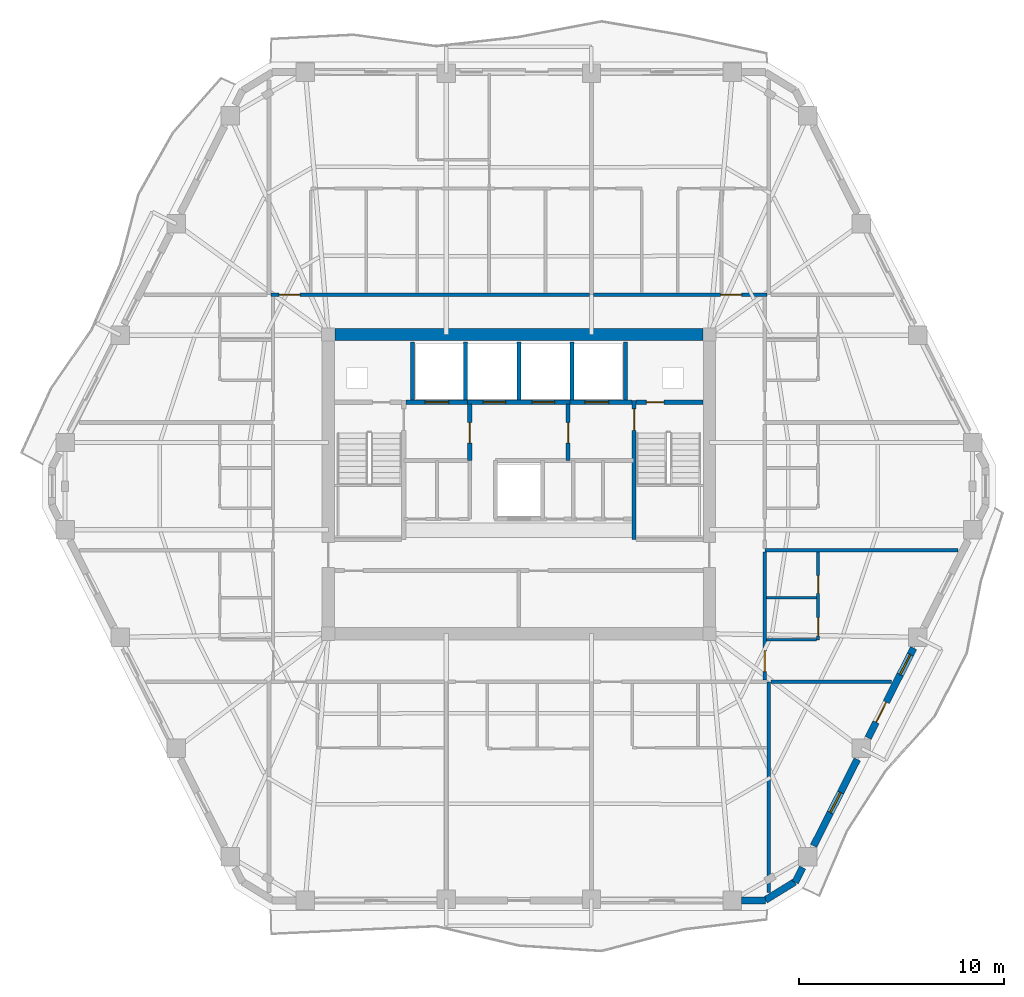
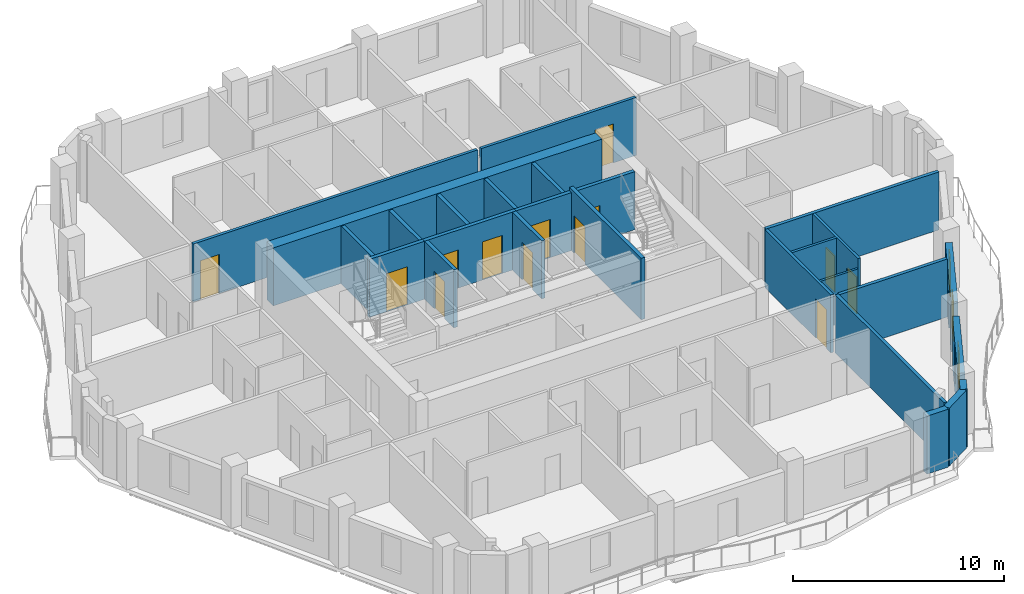
# One storey, part 6 of 10: 27 walls, 14 doors, 2 windows, 16 openings.
"""IFC4 building model written with IfcOpenShell, lengths in metres."""

from ifc_helpers import new_model, si_unit, direction, frame, frame_2d, origin, place, context, subcontext, project, spatial, rectangle, extrude, material, layer, layer_set, type_object, element, fill, save


model = new_model("IFC4")

# Units and contexts
model_context = context("Model", 3, precision=1e-05, world=origin(), true_north=direction((0.0, 1.0)))
body_context = subcontext(model_context, "Body", "Model", "MODEL_VIEW")
ifc_project = project(units=[si_unit("LENGTHUNIT", "METRE"), si_unit("AREAUNIT", "SQUARE_METRE"), si_unit("VOLUMEUNIT", "CUBIC_METRE"), si_unit("PLANEANGLEUNIT", "RADIAN"), si_unit("MASSUNIT", "GRAM", prefix="KILO")], contexts=[model_context])

# Site, building, storey
site_placement = place(None, origin())
site = spatial("IfcSite", under=ifc_project, at=site_placement, CompositionType="ELEMENT")
building_placement = place(site_placement, origin())
building = spatial("IfcBuilding", under=site, at=building_placement, Name="Cinnabar Lancet Tower", CompositionType="ELEMENT")
storey_placement = place(building_placement, frame((0.0, 0.0, 203.85009765625)))
storey = spatial("IfcBuildingStorey", under=building, at=storey_placement, Name="L54", CompositionType="ELEMENT", Elevation=203.85009765625)

# Wall, opening, door
ifc_material_1 = material(Name="Acoustic twin-stud gypsum partition", Category="gypsum")
ifc_layer_1 = layer(ifc_material_1, 0.159912109375)
ifc_layer_set_1 = layer_set([ifc_layer_1], Name="Acoustic twin-stud gypsum partition")
wall_type_1 = type_object("IfcWallType", Name="ARC-WL-CORR-160", PredefinedType="PARTITIONING", material=ifc_layer_set_1)
wall_1_placement = place(storey_placement, frame((20.294921875, 35.14990234375, 0.0), z_axis=(0.0, 0.0, 1.0), x_axis=(1.0, 0.0, 0.0)))
wall_1 = element("IfcWall", 1, at=wall_1_placement, inside=storey, type_object=wall_type_1, Name="L54 Unit N01 Corridor Wall", PredefinedType="PARTITIONING", context=body_context, shape_type="SweptSolid", body=[
    extrude(rectangle(XDim=15.552978515625, YDim=0.159912109375, at=frame_2d((7.7763671875, 0.0))), origin(), (0.0, 0.0, 1.0), 3.349853515625),
])
opening_1_placement = place(wall_1_placement, frame((0.405029296875, 0.0, 0.0)))
opening_1 = element("IfcOpeningElement", 2, at=opening_1_placement, cuts=wall_1, Name="Opening UD-01", PredefinedType="OPENING", context=body_context, shape_type="SweptSolid", body=[
    extrude(rectangle(XDim=1.02001953125, YDim=2.25, at=frame_2d((0.510009765625, 1.125))), frame((0.0, 0.08984375, 0.0), z_axis=(0.0, -1.0, 0.0), x_axis=(1.0, 0.0, 0.0)), (0.0, 0.0, 1.0), 0.179931640625),
])
ifc_material_2 = material(Name="Solid timber fire-rated apartment entrance door", Category="wood")
door_type_1 = type_object("IfcDoorType", Name="ARC-DR-UNIT", OperationType="NOTDEFINED", PredefinedType="DOOR", material=ifc_material_2)
door_1_placement = place(opening_1_placement, origin())
door_1 = element("IfcDoor", 3, at=door_1_placement, inside=storey, type_object=door_type_1, Name="DR-L54-N01-ENT", OperationType="SINGLE_SWING_RIGHT", OverallHeight=2.25, OverallWidth=1.02001953125, PredefinedType="DOOR", context=body_context, shape_type="SweptSolid", body=[
    extrude(rectangle(XDim=1.02001953125, YDim=2.25, at=frame_2d((0.510009765625, 1.125))), frame((0.0, 0.02490234375, 0.0), z_axis=(0.0, -1.0, 0.0), x_axis=(1.0, 0.0, 0.0)), (0.0, 0.0, 1.0), 0.050048828125),
])
fill(opening_1, door_1)

wall_2_placement = place(storey_placement, frame((36.0380859375, 35.14990234375, 0.0), z_axis=(0.0, 0.0, 1.0), x_axis=(1.0, 0.0, 0.0)))
wall_2 = element("IfcWall", 4, at=wall_2_placement, inside=storey, type_object=wall_type_1, Name="L54 Unit N02 Corridor Wall", PredefinedType="PARTITIONING", context=body_context, shape_type="SweptSolid", body=[
    extrude(rectangle(XDim=8.466796875, YDim=0.159912109375, at=frame_2d((4.2333984375, 0.0))), origin(), (0.0, 0.0, 1.0), 3.349853515625),
])
opening_2_placement = place(wall_2_placement, frame((6.2119140625, 0.0, 0.0)))
opening_2 = element("IfcOpeningElement", 5, at=opening_2_placement, cuts=wall_2, Name="Opening UD-01", PredefinedType="OPENING", context=body_context, shape_type="SweptSolid", body=[
    extrude(rectangle(XDim=1.02001953125, YDim=2.25, at=frame_2d((0.510009765625, 1.125))), frame((0.0, 0.08984375, 0.0), z_axis=(0.0, -1.0, 0.0), x_axis=(1.0, 0.0, 0.0)), (0.0, 0.0, 1.0), 0.179931640625),
])
door_2_placement = place(opening_2_placement, origin())
door_2 = element("IfcDoor", 6, at=door_2_placement, inside=storey, type_object=door_type_1, Name="DR-L54-N02-ENT", OperationType="SINGLE_SWING_LEFT", OverallHeight=2.25, OverallWidth=1.02001953125, PredefinedType="DOOR", context=body_context, shape_type="SweptSolid", body=[
    extrude(rectangle(XDim=1.02001953125, YDim=2.25, at=frame_2d((0.510009765625, 1.125))), frame((0.0, 0.02490234375, 0.0), z_axis=(0.0, -1.0, 0.0), x_axis=(1.0, 0.0, 0.0)), (0.0, 0.0, 1.0), 0.050048828125),
])
fill(opening_2, door_2)

wall_3_placement = place(storey_placement, frame((44.39990234375, 16.344970703125, 0.0), z_axis=(0.0, 0.0, 1.0), x_axis=(0.0, 1.0, 0.0)))
wall_3 = element("IfcWall", 7, at=wall_3_placement, inside=storey, type_object=wall_type_1, Name="UW-L54-E01-COR", PredefinedType="PARTITIONING", context=body_context, shape_type="SweptSolid", body=[
    extrude(rectangle(XDim=6.236083984375, YDim=0.159912109375, at=frame_2d((3.1181640625, 0.0))), origin(), (0.0, 0.0, 1.0), 3.349853515625),
])
opening_3_placement = place(wall_3_placement, frame((0.39990234375, 0.0, 0.0)))
opening_3 = element("IfcOpeningElement", 8, at=opening_3_placement, cuts=wall_3, Name="Opening UD-01", PredefinedType="OPENING", context=body_context, shape_type="SweptSolid", body=[
    extrude(rectangle(XDim=1.02001953125, YDim=2.25, at=frame_2d((0.510009765625, 1.125))), frame((0.0, 0.08984375, 0.0), z_axis=(0.0, -1.0, 0.0), x_axis=(1.0, 0.0, 0.0)), (0.0, 0.0, 1.0), 0.179931640625),
])
door_3_placement = place(opening_3_placement, origin())
door_3 = element("IfcDoor", 9, at=door_3_placement, inside=storey, type_object=door_type_1, Name="DR-L54-E01-ENT", OperationType="SINGLE_SWING_RIGHT", OverallHeight=2.25, OverallWidth=1.02001953125, PredefinedType="DOOR", context=body_context, shape_type="SweptSolid", body=[
    extrude(rectangle(XDim=1.02001953125, YDim=2.25, at=frame_2d((0.510009765625, 1.125))), frame((0.0, 0.02490234375, 0.0), z_axis=(0.0, -1.0, 0.0), x_axis=(1.0, 0.0, 0.0)), (0.0, 0.0, 1.0), 0.050048828125),
])
fill(opening_3, door_3)

# Walls
ifc_material_3 = material(Name="Fire-rated twin-frame acoustic drywall", Category="gypsum")
ifc_layer_2 = layer(ifc_material_3, 0.179931640625)
ifc_layer_set_2 = layer_set([ifc_layer_2], Name="Fire-rated twin-frame acoustic drywall")
wall_type_2 = type_object("IfcWallType", Name="ARC-WL-PARTY-180", PredefinedType="PARTITIONING", material=ifc_layer_set_2)
wall_4_placement = place(storey_placement, frame((44.60009765625, 5.968017578125, 0.0), z_axis=(0.0, 0.0, 1.0), x_axis=(0.0, 1.0, 0.0)))
element("IfcWall", 10, at=wall_4_placement, inside=storey, type_object=wall_type_2, Name="PW-L54-SPTY-446", PredefinedType="PARTITIONING", context=body_context, shape_type="SweptSolid", body=[
    extrude(rectangle(XDim=10.281982421875, YDim=0.179931640625, at=frame_2d((5.14111328125, 0.0))), origin(), (0.0, 0.0, 1.0), 3.349853515625),
])
wall_5_placement = place(storey_placement, frame((44.695068359375, 16.25, 0.0), z_axis=(0.0, 0.0, 1.0), x_axis=(1.0, 0.0, 0.0)))
element("IfcWall", 11, at=wall_5_placement, inside=storey, type_object=wall_type_2, Name="PW-L54-ESB", PredefinedType="PARTITIONING", context=body_context, shape_type="SweptSolid", body=[
    extrude(rectangle(XDim=5.89404296875, YDim=0.179931640625, at=frame_2d((2.947021484375, 0.0))), origin(), (0.0, 0.0, 1.0), 3.349853515625),
])
wall_6_placement = place(storey_placement, frame((44.39990234375, 22.676025390625, 0.0), z_axis=(0.0, 0.0, 1.0), x_axis=(1.0, 0.0, 0.0)))
element("IfcWall", 12, at=wall_6_placement, inside=storey, type_object=wall_type_2, Name="PW-L54-EPTY-1", PredefinedType="PARTITIONING", context=body_context, shape_type="SweptSolid", body=[
    extrude(rectangle(XDim=9.440185546875, YDim=0.179931640625, at=frame_2d((4.72021484375, 0.0))), origin(), (0.0, 0.0, 1.0), 3.349853515625),
])

# Wall, opening, door
ifc_material_4 = material(Name="Autoclaved aerated concrete blockwork", Category="masonry")
ifc_layer_3 = layer(ifc_material_4, 0.199951171875)
ifc_layer_set_3 = layer_set([ifc_layer_3], Name="Autoclaved aerated concrete blockwork")
wall_type_3 = type_object("IfcWallType", Name="ARC-WL-SHAFT-200", PredefinedType="PLUMBINGWALL", material=ifc_layer_set_3)
wall_7_placement = place(storey_placement, frame((26.885009765625, 29.89990234375, 0.0), z_axis=(0.0, 0.0, 1.0), x_axis=(1.0, 0.0, 0.0)))
wall_7 = element("IfcWall", 13, at=wall_7_placement, inside=storey, type_object=wall_type_3, Name="CW-FL1-L54", PredefinedType="PLUMBINGWALL", context=body_context, shape_type="SweptSolid", body=[
    extrude(rectangle(XDim=3.014892578125, YDim=0.199951171875, at=frame_2d((1.50732421875, 0.0))), origin(), (0.0, 0.0, 1.0), 3.349853515625),
])
opening_4_placement = place(wall_7_placement, frame((0.93994140625, 0.0, 0.0)))
opening_4 = element("IfcOpeningElement", 14, at=opening_4_placement, cuts=wall_7, Name="Opening LD-02", PredefinedType="OPENING", context=body_context, shape_type="SweptSolid", body=[
    extrude(rectangle(XDim=1.14990234375, YDim=2.199951171875, at=frame_2d((0.574951171875, 1.10009765625))), frame((0.0, 0.10986328125, 0.0), z_axis=(0.0, -1.0, 0.0), x_axis=(1.0, 0.0, 0.0)), (0.0, 0.0, 1.0), 0.219970703125),
])
ifc_material_5 = material(Name="Fire-rated stainless steel firefighting lift landing door", Category="steel")
door_type_2 = type_object("IfcDoorType", Name="ARC-DR-LD-FIRE", OperationType="NOTDEFINED", PredefinedType="DOOR", material=ifc_material_5)
door_4_placement = place(opening_4_placement, origin())
door_4 = element("IfcDoor", 15, at=door_4_placement, inside=storey, type_object=door_type_2, Name="L54 Firefighting Lift FL-1 Landing Door", OperationType="DOUBLE_DOOR_SLIDING", OverallHeight=2.199951171875, OverallWidth=1.14990234375, PredefinedType="DOOR", context=body_context, shape_type="SweptSolid", body=[
    extrude(rectangle(XDim=1.14990234375, YDim=2.199951171875, at=frame_2d((0.574951171875, 1.10009765625))), frame((0.0, 0.02490234375, 0.0), z_axis=(0.0, -1.0, 0.0), x_axis=(1.0, 0.0, 0.0)), (0.0, 0.0, 1.0), 0.050048828125),
])
fill(opening_4, door_4)

# Wall, openings, doors
wall_8_placement = place(storey_placement, frame((29.89990234375, 29.89990234375, 0.0), z_axis=(0.0, 0.0, 1.0), x_axis=(1.0, 0.0, 0.0)))
wall_8 = element("IfcWall", 16, at=wall_8_placement, inside=storey, type_object=wall_type_3, Name="CW-PL78-L54", PredefinedType="PLUMBINGWALL", context=body_context, shape_type="SweptSolid", body=[
    extrude(rectangle(XDim=5.0, YDim=0.199951171875, at=frame_2d((2.5, 0.0))), origin(), (0.0, 0.0, 1.0), 3.349853515625),
])
opening_5_placement = place(wall_8_placement, frame((0.75, 0.0, 0.0)))
opening_5 = element("IfcOpeningElement", 17, at=opening_5_placement, cuts=wall_8, Name="Opening LD-01", PredefinedType="OPENING", context=body_context, shape_type="SweptSolid", body=[
    extrude(rectangle(XDim=1.10009765625, YDim=2.199951171875, at=frame_2d((0.550048828125, 1.10009765625))), frame((0.0, 0.10986328125, 0.0), z_axis=(0.0, -1.0, 0.0), x_axis=(1.0, 0.0, 0.0)), (0.0, 0.0, 1.0), 0.219970703125),
])
opening_6_placement = place(wall_8_placement, frame((3.14990234375, 0.0, 0.0)))
opening_6 = element("IfcOpeningElement", 18, at=opening_6_placement, cuts=wall_8, Name="Opening LD-01", PredefinedType="OPENING", context=body_context, shape_type="SweptSolid", body=[
    extrude(rectangle(XDim=1.10009765625, YDim=2.199951171875, at=frame_2d((0.550048828125, 1.10009765625))), frame((0.0, 0.10986328125, 0.0), z_axis=(0.0, -1.0, 0.0), x_axis=(1.0, 0.0, 0.0)), (0.0, 0.0, 1.0), 0.219970703125),
])
ifc_material_6 = material(Name="Brushed stainless steel sliding lift door", Category="steel")
door_type_3 = type_object("IfcDoorType", Name="ARC-DR-LD-PASS", OperationType="NOTDEFINED", PredefinedType="DOOR", material=ifc_material_6)
door_5_placement = place(opening_5_placement, origin())
door_5 = element("IfcDoor", 19, at=door_5_placement, inside=storey, type_object=door_type_3, Name="L54 Lift PL-7 Landing Door", OperationType="DOUBLE_DOOR_SLIDING", OverallHeight=2.199951171875, OverallWidth=1.10009765625, PredefinedType="DOOR", context=body_context, shape_type="SweptSolid", body=[
    extrude(rectangle(XDim=1.10009765625, YDim=2.199951171875, at=frame_2d((0.550048828125, 1.10009765625))), frame((0.0, 0.02490234375, 0.0), z_axis=(0.0, -1.0, 0.0), x_axis=(1.0, 0.0, 0.0)), (0.0, 0.0, 1.0), 0.050048828125),
])
fill(opening_5, door_5)
door_6_placement = place(opening_6_placement, origin())
door_6 = element("IfcDoor", 20, at=door_6_placement, inside=storey, type_object=door_type_3, Name="L54 Lift PL-8 Landing Door", OperationType="DOUBLE_DOOR_SLIDING", OverallHeight=2.199951171875, OverallWidth=1.10009765625, PredefinedType="DOOR", context=body_context, shape_type="SweptSolid", body=[
    extrude(rectangle(XDim=1.10009765625, YDim=2.199951171875, at=frame_2d((0.550048828125, 1.10009765625))), frame((0.0, 0.02490234375, 0.0), z_axis=(0.0, -1.0, 0.0), x_axis=(1.0, 0.0, 0.0)), (0.0, 0.0, 1.0), 0.050048828125),
])
fill(opening_6, door_6)

# Wall, opening, door
wall_9_placement = place(storey_placement, frame((34.89990234375, 29.89990234375, 0.0), z_axis=(0.0, 0.0, 1.0), x_axis=(1.0, 0.0, 0.0)))
wall_9 = element("IfcWall", 21, at=wall_9_placement, inside=storey, type_object=wall_type_3, Name="CW-FL2-L54", PredefinedType="PLUMBINGWALL", context=body_context, shape_type="SweptSolid", body=[
    extrude(rectangle(XDim=3.01513671875, YDim=0.199951171875, at=frame_2d((1.507568359375, 0.0))), origin(), (0.0, 0.0, 1.0), 3.349853515625),
])
opening_7_placement = place(wall_9_placement, frame((0.72509765625, 0.0, 0.0)))
opening_7 = element("IfcOpeningElement", 22, at=opening_7_placement, cuts=wall_9, Name="Opening LD-02", PredefinedType="OPENING", context=body_context, shape_type="SweptSolid", body=[
    extrude(rectangle(XDim=1.14990234375, YDim=2.199951171875, at=frame_2d((0.574951171875, 1.10009765625))), frame((0.0, 0.10986328125, 0.0), z_axis=(0.0, -1.0, 0.0), x_axis=(1.0, 0.0, 0.0)), (0.0, 0.0, 1.0), 0.219970703125),
])
door_7_placement = place(opening_7_placement, origin())
door_7 = element("IfcDoor", 23, at=door_7_placement, inside=storey, type_object=door_type_2, Name="L54 Firefighting Lift FL-2 Landing Door", OperationType="DOUBLE_DOOR_SLIDING", OverallHeight=2.199951171875, OverallWidth=1.14990234375, PredefinedType="DOOR", context=body_context, shape_type="SweptSolid", body=[
    extrude(rectangle(XDim=1.14990234375, YDim=2.199951171875, at=frame_2d((0.574951171875, 1.10009765625))), frame((0.0, 0.02490234375, 0.0), z_axis=(0.0, -1.0, 0.0), x_axis=(1.0, 0.0, 0.0)), (0.0, 0.0, 1.0), 0.050048828125),
])
fill(opening_7, door_7)

wall_10_placement = place(storey_placement, frame((38.125, 29.89990234375, 0.0), z_axis=(0.0, 0.0, 1.0), x_axis=(1.0, 0.0, 0.0)))
wall_10 = element("IfcWall", 24, at=wall_10_placement, inside=storey, type_object=wall_type_3, Name="CW-NSH-E-L54", PredefinedType="PLUMBINGWALL", context=body_context, shape_type="SweptSolid", body=[
    extrude(rectangle(XDim=3.27001953125, YDim=0.199951171875, at=frame_2d((1.635009765625, 0.0))), origin(), (0.0, 0.0, 1.0), 3.349853515625),
])
opening_8_placement = place(wall_10_placement, frame((0.5, 0.0, 0.0)))
opening_8 = element("IfcOpeningElement", 25, at=opening_8_placement, cuts=wall_10, Name="Opening PD-02", PredefinedType="OPENING", context=body_context, shape_type="SweptSolid", body=[
    extrude(rectangle(XDim=0.85009765625, YDim=2.050048828125, at=frame_2d((0.425048828125, 1.02490234375))), frame((0.0, 0.10986328125, 0.0), z_axis=(0.0, -1.0, 0.0), x_axis=(1.0, 0.0, 0.0)), (0.0, 0.0, 1.0), 0.219970703125),
])
ifc_material_7 = material(Name="Fire-rated steel riser access door", Category="steel")
door_type_4 = type_object("IfcDoorType", Name="ARC-DR-RISER", OperationType="NOTDEFINED", PredefinedType="DOOR", material=ifc_material_7)
door_8_placement = place(opening_8_placement, origin())
door_8 = element("IfcDoor", 26, at=door_8_placement, inside=storey, type_object=door_type_4, Name="L54 East Riser Access Door", OperationType="SINGLE_SWING_RIGHT", OverallHeight=2.050048828125, OverallWidth=0.85009765625, PredefinedType="DOOR", context=body_context, shape_type="SweptSolid", body=[
    extrude(rectangle(XDim=0.85009765625, YDim=2.050048828125, at=frame_2d((0.425048828125, 1.02490234375))), frame((0.0, 0.02490234375, 0.0), z_axis=(0.0, -1.0, 0.0), x_axis=(1.0, 0.0, 0.0)), (0.0, 0.0, 1.0), 0.050048828125),
])
fill(opening_8, door_8)

# Walls
for number, where, z_axis, x_axis, name in (
    (27, (27.199951171875, 30.0, 0.0), (0.0, 0.0, 1.0), (0.0, 1.0, 0.0), "CW-NSH-D1-L54"),
    (28, (29.800048828125, 30.0, 0.0), (0.0, 0.0, 1.0), (0.0, 1.0, 0.0), "CW-NSH-D2-L54"),
    (29, (32.39990234375, 30.0, 0.0), (0.0, 0.0, 1.0), (0.0, 1.0, 0.0), "CW-NSH-D3-L54"),
    (30, (35.0, 30.0, 0.0), (0.0, 0.0, 1.0), (0.0, 1.0, 0.0), "CW-NSH-D4-L54"),
    (31, (37.60009765625, 30.0, 0.0), (0.0, 0.0, 1.0), (0.0, 1.0, 0.0), "CW-NSH-D5-L54"),
):
    element("IfcWall", number, at=place(storey_placement, frame(where, z_axis=z_axis, x_axis=x_axis)), inside=storey, type_object=wall_type_3, Name=name, PredefinedType="PLUMBINGWALL", context=body_context, shape_type="SweptSolid", body=[
        extrude(rectangle(XDim=2.85009765625, YDim=0.199951171875, at=frame_2d((1.425048828125, 0.0))), origin(), (0.0, 0.0, 1.0), 3.349853515625),
    ])

# Wall, opening, door
wall_11_placement = place(storey_placement, frame((30.0, 27.050048828125, 0.0), z_axis=(0.0, 0.0, 1.0), x_axis=(0.0, 1.0, 0.0)))
wall_11 = element("IfcWall", 32, at=wall_11_placement, inside=storey, type_object=wall_type_3, Name="CW-FF1E-L54", PredefinedType="PLUMBINGWALL", context=body_context, shape_type="SweptSolid", body=[
    extrude(rectangle(XDim=2.75, YDim=0.199951171875, at=frame_2d((1.375, 0.0))), origin(), (0.0, 0.0, 1.0), 3.349853515625),
])
opening_9_placement = place(wall_11_placement, frame((0.85009765625, 0.0, 0.0)))
opening_9 = element("IfcOpeningElement", 33, at=opening_9_placement, cuts=wall_11, Name="Opening FD-01", PredefinedType="OPENING", context=body_context, shape_type="SweptSolid", body=[
    extrude(rectangle(XDim=1.0, YDim=2.14990234375, at=frame_2d((0.5, 1.074951171875))), frame((0.0, 0.10986328125, 0.0), z_axis=(0.0, -1.0, 0.0), x_axis=(1.0, 0.0, 0.0)), (0.0, 0.0, 1.0), 0.219970703125),
])
ifc_material_8 = material(Name="Fire-rated timber-core lobby door", Category="wood")
door_type_5 = type_object("IfcDoorType", Name="ARC-DR-FFAL", OperationType="NOTDEFINED", PredefinedType="DOOR", material=ifc_material_8)
door_9_placement = place(opening_9_placement, origin())
door_9 = element("IfcDoor", 34, at=door_9_placement, inside=storey, type_object=door_type_5, Name="L54 FFAL-1 Lobby Fire Door", OperationType="SINGLE_SWING_RIGHT", OverallHeight=2.14990234375, OverallWidth=1.0, PredefinedType="DOOR", context=body_context, shape_type="SweptSolid", body=[
    extrude(rectangle(XDim=1.0, YDim=2.14990234375, at=frame_2d((0.5, 1.074951171875))), frame((0.0, 0.02490234375, 0.0), z_axis=(0.0, -1.0, 0.0), x_axis=(1.0, 0.0, 0.0)), (0.0, 0.0, 1.0), 0.050048828125),
])
fill(opening_9, door_9)

wall_12_placement = place(storey_placement, frame((34.800048828125, 27.050048828125, 0.0), z_axis=(0.0, 0.0, 1.0), x_axis=(0.0, 1.0, 0.0)))
wall_12 = element("IfcWall", 35, at=wall_12_placement, inside=storey, type_object=wall_type_3, Name="CW-FF2W-L54", PredefinedType="PLUMBINGWALL", context=body_context, shape_type="SweptSolid", body=[
    extrude(rectangle(XDim=2.75, YDim=0.199951171875, at=frame_2d((1.375, 0.0))), origin(), (0.0, 0.0, 1.0), 3.349853515625),
])
opening_10_placement = place(wall_12_placement, frame((0.85009765625, 0.0, 0.0)))
opening_10 = element("IfcOpeningElement", 36, at=opening_10_placement, cuts=wall_12, Name="Opening FD-01", PredefinedType="OPENING", context=body_context, shape_type="SweptSolid", body=[
    extrude(rectangle(XDim=1.0, YDim=2.14990234375, at=frame_2d((0.5, 1.074951171875))), frame((0.0, 0.10986328125, 0.0), z_axis=(0.0, -1.0, 0.0), x_axis=(1.0, 0.0, 0.0)), (0.0, 0.0, 1.0), 0.219970703125),
])
door_10_placement = place(opening_10_placement, origin())
door_10 = element("IfcDoor", 37, at=door_10_placement, inside=storey, type_object=door_type_5, Name="L54 FFAL-2 Lobby Fire Door", OperationType="SINGLE_SWING_LEFT", OverallHeight=2.14990234375, OverallWidth=1.0, PredefinedType="DOOR", context=body_context, shape_type="SweptSolid", body=[
    extrude(rectangle(XDim=1.0, YDim=2.14990234375, at=frame_2d((0.5, 1.074951171875))), frame((0.0, 0.02490234375, 0.0), z_axis=(0.0, -1.0, 0.0), x_axis=(1.0, 0.0, 0.0)), (0.0, 0.0, 1.0), 0.050048828125),
])
fill(opening_10, door_10)

# Wall
ifc_material_9 = material(Name="Gypsum plasterboard stud partition", Category="gypsum")
ifc_layer_4 = layer(ifc_material_9, 0.125)
ifc_layer_set_4 = layer_set([ifc_layer_4], Name="Gypsum plasterboard stud partition")
wall_type_4 = type_object("IfcWallType", Name="ARC-WL-UNIT-125", PredefinedType="PARTITIONING", material=ifc_layer_set_4)
wall_13_placement = place(storey_placement, frame((44.485107421875, 18.300048828125, 0.0), z_axis=(0.0, 0.0, 1.0), x_axis=(1.0, 0.0, 0.0)))
element("IfcWall", 38, at=wall_13_placement, inside=storey, type_object=wall_type_4, Name="UW-L54-E01-FOYN", PredefinedType="PARTITIONING", context=body_context, shape_type="SweptSolid", body=[
    extrude(rectangle(XDim=2.429931640625, YDim=0.125, at=frame_2d((1.21484375, 0.0))), origin(), (0.0, 0.0, 1.0), 2.806884765625),
])

# Wall, openings, doors
ifc_material_10 = material(Name="Moisture-resistant cement-board plumbing wall", Category="masonry")
ifc_layer_5 = layer(ifc_material_10, 0.139892578125)
ifc_layer_set_5 = layer_set([ifc_layer_5], Name="Moisture-resistant cement-board plumbing wall")
wall_type_5 = type_object("IfcWallType", Name="ARC-WL-WET-140", PredefinedType="PLUMBINGWALL", material=ifc_layer_set_5)
wall_14_placement = place(storey_placement, frame((47.0, 18.300048828125, 0.0), z_axis=(0.0, 0.0, 1.0), x_axis=(0.0, 1.0, 0.0)))
wall_14 = element("IfcWall", 39, at=wall_14_placement, inside=storey, type_object=wall_type_5, Name="UW-L54-E01-SPL", PredefinedType="PLUMBINGWALL", context=body_context, shape_type="SweptSolid", body=[
    extrude(rectangle(XDim=4.281005859375, YDim=0.139892578125, at=frame_2d((2.140625, 0.0))), origin(), (0.0, 0.0, 1.0), 3.349853515625),
])
opening_11_placement = place(wall_14_placement, frame((2.27490234375, 0.0, 0.0)))
opening_11 = element("IfcOpeningElement", 40, at=opening_11_placement, cuts=wall_14, Name="Opening BD-01", PredefinedType="OPENING", context=body_context, shape_type="SweptSolid", body=[
    extrude(rectangle(XDim=0.860107421875, YDim=2.10009765625, at=frame_2d((0.43017578125, 1.050048828125))), frame((0.0, 0.079833984375, 0.0), z_axis=(0.0, -1.0, 0.0), x_axis=(1.0, 0.0, 0.0)), (0.0, 0.0, 1.0), 0.159912109375),
])
opening_12_placement = place(wall_14_placement, frame((0.199951171875, 0.0, 0.0)))
opening_12 = element("IfcOpeningElement", 41, at=opening_12_placement, cuts=wall_14, Name="Opening RD-02", PredefinedType="OPENING", context=body_context, shape_type="SweptSolid", body=[
    extrude(rectangle(XDim=0.8798828125, YDim=2.14990234375, at=frame_2d((0.43994140625, 1.074951171875))), frame((0.0, 0.079833984375, 0.0), z_axis=(0.0, -1.0, 0.0), x_axis=(1.0, 0.0, 0.0)), (0.0, 0.0, 1.0), 0.159912109375),
])
ifc_material_11 = material(Name="Moisture-resistant timber bathroom door", Category="wood")
door_type_6 = type_object("IfcDoorType", Name="ARC-DR-BATH", OperationType="NOTDEFINED", PredefinedType="DOOR", material=ifc_material_11)
door_11_placement = place(opening_11_placement, origin())
door_11 = element("IfcDoor", 42, at=door_11_placement, inside=storey, type_object=door_type_6, Name="DR-L54-E01-BTH", OperationType="SINGLE_SWING_RIGHT", OverallHeight=2.10009765625, OverallWidth=0.860107421875, PredefinedType="DOOR", context=body_context, shape_type="SweptSolid", body=[
    extrude(rectangle(XDim=0.860107421875, YDim=2.10009765625, at=frame_2d((0.43017578125, 1.050048828125))), frame((0.0, 0.02490234375, 0.0), z_axis=(0.0, -1.0, 0.0), x_axis=(1.0, 0.0, 0.0)), (0.0, 0.0, 1.0), 0.050048828125),
])
fill(opening_11, door_11)
ifc_material_12 = material(Name="Engineered timber study door", Category="wood")
door_type_7 = type_object("IfcDoorType", Name="ARC-DR-STUDY", OperationType="NOTDEFINED", PredefinedType="DOOR", material=ifc_material_12)
door_12_placement = place(opening_12_placement, origin())
door_12 = element("IfcDoor", 43, at=door_12_placement, inside=storey, type_object=door_type_7, Name="DR-L54-E01-KIT", OperationType="SINGLE_SWING_LEFT", OverallHeight=2.14990234375, OverallWidth=0.8798828125, PredefinedType="DOOR", context=body_context, shape_type="SweptSolid", body=[
    extrude(rectangle(XDim=0.8798828125, YDim=2.14990234375, at=frame_2d((0.43994140625, 1.074951171875))), frame((0.0, 0.02490234375, 0.0), z_axis=(0.0, -1.0, 0.0), x_axis=(1.0, 0.0, 0.0)), (0.0, 0.0, 1.0), 0.050048828125),
])
fill(opening_12, door_12)

# Walls
wall_15_placement = place(storey_placement, frame((44.485107421875, 20.35498046875, 0.0), z_axis=(0.0, 0.0, 1.0), x_axis=(1.0, 0.0, 0.0)))
element("IfcWall", 44, at=wall_15_placement, inside=storey, type_object=wall_type_5, Name="UW-L54-E01-KDV", PredefinedType="PLUMBINGWALL", context=body_context, shape_type="SweptSolid", body=[
    extrude(rectangle(XDim=2.429931640625, YDim=0.139892578125, at=frame_2d((1.21484375, 0.0))), origin(), (0.0, 0.0, 1.0), 3.349853515625),
])
ifc_material_13 = material(Name="Cinnabar red clay brick", Category="masonry")
ifc_layer_6 = layer(ifc_material_13, 0.340087890625)
ifc_layer_set_6 = layer_set([ifc_layer_6], Name="Cinnabar red clay brick")
wall_type_6 = type_object("IfcWallType", Name="ENV-WL-BRK-RED-340", PredefinedType="STANDARD", material=ifc_layer_set_6)
wall_16_placement = place(storey_placement, frame((44.43310546875, 5.60498046875, 0.0), z_axis=(0.0, 0.0, 1.0), x_axis=(0.851778214877, 0.523902541185, 0.0)))
element("IfcWall", 45, at=wall_16_placement, inside=storey, type_object=wall_type_6, Name="L54 Chamfered Corner Brick Pier 2.1", PredefinedType="STANDARD", context=body_context, shape_type="SweptSolid", body=[
    extrude(rectangle(XDim=1.677734375, YDim=0.340087890625, at=frame_2d((0.8388671875, 0.0))), origin(), (0.0, 0.0, 1.0), 3.349853515625),
])
wall_17_placement = place(storey_placement, frame((43.27490234375, 5.580078125, 0.0), z_axis=(0.0, 0.0, 1.0), x_axis=(1.0, 0.0, 0.0)))
element("IfcWall", 46, at=wall_17_placement, inside=storey, type_object=wall_type_6, Name="L54 Face 1 Masonry Bay Wall 5", PredefinedType="STANDARD", context=body_context, shape_type="SweptSolid", body=[
    extrude(rectangle(XDim=1.1630859375, YDim=0.340087890625, at=frame_2d((0.58154296875, 0.0))), origin(), (0.0, 0.0, 1.0), 3.349853515625),
])
wall_18_placement = place(storey_placement, frame((45.882080078125, 6.468017578125, 0.0), z_axis=(0.0, 0.0, 1.0), x_axis=(0.451691568309, 0.892174157392, 0.0)))
element("IfcWall", 47, at=wall_18_placement, inside=storey, type_object=wall_type_6, Name="L54 Face 2 Masonry Bay Wall 1", PredefinedType="STANDARD", context=body_context, shape_type="SweptSolid", body=[
    extrude(rectangle(XDim=0.805908203125, YDim=0.340087890625, at=frame_2d((0.40283203125, 0.0))), origin(), (0.0, 0.0, 1.0), 3.349853515625),
])

# Wall, opening, window
wall_19_placement = place(storey_placement, frame((46.782958984375, 8.2490234375, 0.0), z_axis=(0.0, 0.0, 1.0), x_axis=(0.451522864045, 0.892259549259, 0.0)))
wall_19 = element("IfcWall", 48, at=wall_19_placement, inside=storey, type_object=wall_type_6, Name="L54 Face 2 Masonry Bay Wall 2", PredefinedType="STANDARD", context=body_context, shape_type="SweptSolid", body=[
    extrude(rectangle(XDim=4.730712890625, YDim=0.340087890625, at=frame_2d((2.365234375, 0.0))), origin(), (0.0, 0.0, 1.0), 2.8828125),
])
opening_13_placement = place(wall_19_placement, frame((1.81494140625, 0.0, 0.75)))
opening_13 = element("IfcOpeningElement", 49, at=opening_13_placement, cuts=wall_19, Name="Opening WN-04", PredefinedType="OPENING", context=body_context, shape_type="SweptSolid", body=[
    extrude(rectangle(XDim=1.10009765625, YDim=1.98291015625, at=frame_2d((0.550048828125, 0.991455078125))), frame((0.0, 0.179931640625, 0.0), z_axis=(0.0, -1.0, 0.0), x_axis=(1.0, 0.0, 0.0)), (0.0, 0.0, 1.0), 0.360107421875),
])
ifc_material_14 = material(Name="Thermally broken bronze-anodized aluminium tall lancet window", Category="aluminium")
window_type = type_object("IfcWindowType", Name="ENV-WN-LANCET-1100", PartitioningType="SINGLE_PANEL", PredefinedType="WINDOW", material=ifc_material_14)
window_1_placement = place(opening_13_placement, origin())
window_1 = element("IfcWindow", 50, at=window_1_placement, inside=storey, type_object=window_type, Name="L54 Face 2 Gothic Lancet Window 2", OverallHeight=1.98291015625, OverallWidth=1.10009765625, PartitioningType="SINGLE_PANEL", PredefinedType="WINDOW", context=body_context, shape_type="SweptSolid", body=[
    extrude(rectangle(XDim=1.10009765625, YDim=1.98291015625, at=frame_2d((0.550048828125, 0.991455078125))), frame((0.0, 0.030029296875, 0.0), z_axis=(0.0, -1.0, 0.0), x_axis=(1.0, 0.0, 0.0)), (0.0, 0.0, 1.0), 0.06005859375),
])
fill(opening_13, window_1)

# Wall, openings, door, window
wall_20_placement = place(storey_placement, frame((49.447998046875, 13.51708984375, 0.0), z_axis=(0.0, 0.0, 1.0), x_axis=(0.451544279509, 0.892248711763, 0.0)))
wall_20 = element("IfcWall", 51, at=wall_20_placement, inside=storey, type_object=wall_type_6, Name="L54 Face 2 Masonry Bay Wall 3", PredefinedType="STANDARD", context=body_context, shape_type="SweptSolid", body=[
    extrude(rectangle(XDim=4.909912109375, YDim=0.340087890625, at=frame_2d((2.455078125, 0.0))), origin(), (0.0, 0.0, 1.0), 2.8828125),
])
opening_14_placement = place(wall_20_placement, frame((0.85595703125, 0.0, 0.0)))
opening_14 = element("IfcOpeningElement", 52, at=opening_14_placement, cuts=wall_20, Name="Opening TD-01", PredefinedType="OPENING", context=body_context, shape_type="SweptSolid", body=[
    extrude(rectangle(XDim=1.10009765625, YDim=2.25, at=frame_2d((0.550048828125, 1.125))), frame((0.0, 0.179931640625, 0.0), z_axis=(0.0, -1.0, 0.0), x_axis=(1.0, 0.0, 0.0)), (0.0, 0.0, 1.0), 0.360107421875),
])
opening_15_placement = place(wall_20_placement, frame((3.45703125, 0.0, 0.75)))
opening_15 = element("IfcOpeningElement", 53, at=opening_15_placement, cuts=wall_20, Name="Opening WN-04", PredefinedType="OPENING", context=body_context, shape_type="SweptSolid", body=[
    extrude(rectangle(XDim=1.10009765625, YDim=1.98291015625, at=frame_2d((0.550048828125, 0.991455078125))), frame((0.0, 0.179931640625, 0.0), z_axis=(0.0, -1.0, 0.0), x_axis=(1.0, 0.0, 0.0)), (0.0, 0.0, 1.0), 0.360107421875),
])
ifc_material_15 = material(Name="Thermally broken low-E glazed balcony terrace door", Category="wood")
door_type_8 = type_object("IfcDoorType", Name="ARC-DR-BALC", OperationType="NOTDEFINED", PredefinedType="DOOR", material=ifc_material_15)
door_13_placement = place(opening_14_placement, origin())
door_13 = element("IfcDoor", 54, at=door_13_placement, inside=storey, type_object=door_type_8, Name="L54 Face 2 Glazed Terrace Door", OperationType="SINGLE_SWING_LEFT", OverallHeight=2.25, OverallWidth=1.10009765625, PredefinedType="DOOR", context=body_context, shape_type="SweptSolid", body=[
    extrude(rectangle(XDim=1.10009765625, YDim=2.25, at=frame_2d((0.550048828125, 1.125))), frame((0.0, 0.02490234375, 0.0), z_axis=(0.0, -1.0, 0.0), x_axis=(1.0, 0.0, 0.0)), (0.0, 0.0, 1.0), 0.050048828125),
])
fill(opening_14, door_13)
window_2_placement = place(opening_15_placement, origin())
window_2 = element("IfcWindow", 55, at=window_2_placement, inside=storey, type_object=window_type, Name="L54 Split-Bay Gothic Lancet Window 182", OverallHeight=1.98291015625, OverallWidth=1.10009765625, PartitioningType="SINGLE_PANEL", PredefinedType="WINDOW", context=body_context, shape_type="SweptSolid", body=[
    extrude(rectangle(XDim=1.10009765625, YDim=1.98291015625, at=frame_2d((0.550048828125, 0.991455078125))), frame((0.0, 0.030029296875, 0.0), z_axis=(0.0, -1.0, 0.0), x_axis=(1.0, 0.0, 0.0)), (0.0, 0.0, 1.0), 0.06005859375),
])
fill(opening_15, window_2)

# Wall
ifc_material_16 = material(Name="Concrete C60/75", Category="concrete")
ifc_layer_7 = layer(ifc_material_16, 0.60009765625)
ifc_layer_set_7 = layer_set([ifc_layer_7], Name="Concrete C60/75")
wall_type_7 = type_object("IfcWallType", Name="STR-WL-CORE-600", PredefinedType="SHEAR", material=ifc_layer_set_7)
wall_21_placement = place(storey_placement, frame((23.425048828125, 33.199951171875, 0.0), z_axis=(0.0, 0.0, 1.0), x_axis=(1.0, 0.0, 0.0)))
element("IfcWall", 56, at=wall_21_placement, inside=storey, type_object=wall_type_7, Name="L54 Core Shear Wall N", PredefinedType="SHEAR", context=body_context, shape_type="SweptSolid", body=[
    extrude(rectangle(XDim=17.949951171875, YDim=0.60009765625, at=frame_2d((8.97509765625, 0.0))), origin(), (0.0, 0.0, 1.0), 3.349853515625),
])

# Wall, opening, door
ifc_material_17 = material(Name="Concrete C50/60", Category="concrete")
ifc_layer_8 = layer(ifc_material_17, 0.199951171875)
ifc_layer_set_8 = layer_set([ifc_layer_8], Name="Concrete C50/60")
wall_type_8 = type_object("IfcWallType", Name="STR-WL-STAIR-200", PredefinedType="SHEAR", material=ifc_layer_set_8)
wall_22_placement = place(storey_placement, frame((38.02001953125, 23.199951171875, 0.0), z_axis=(0.0, 0.0, 1.0), x_axis=(0.0, 1.0, 0.0)))
wall_22 = element("IfcWall", 57, at=wall_22_placement, inside=storey, type_object=wall_type_8, Name="L54 Stair ST-2 Structural Enclosure Wall", PredefinedType="SHEAR", context=body_context, shape_type="SweptSolid", body=[
    extrude(rectangle(XDim=6.780029296875, YDim=0.199951171875, at=frame_2d((3.39013671875, 0.0))), origin(), (0.0, 0.0, 1.0), 3.5498046875),
])
opening_16_placement = place(wall_22_placement, frame((5.320068359375, 0.0, 0.0)))
opening_16 = element("IfcOpeningElement", 58, at=opening_16_placement, cuts=wall_22, Name="Opening SD-01", PredefinedType="OPENING", context=body_context, shape_type="SweptSolid", body=[
    extrude(rectangle(XDim=1.050048828125, YDim=2.14990234375, at=frame_2d((0.52490234375, 1.074951171875))), frame((0.0, 0.10986328125, 0.0), z_axis=(0.0, -1.0, 0.0), x_axis=(1.0, 0.0, 0.0)), (0.0, 0.0, 1.0), 0.219970703125),
])
ifc_material_18 = material(Name="Fire-rated steel stair exit door", Category="steel")
door_type_9 = type_object("IfcDoorType", Name="ARC-DR-STAIR", OperationType="NOTDEFINED", PredefinedType="DOOR", material=ifc_material_18)
door_14_placement = place(opening_16_placement, origin())
door_14 = element("IfcDoor", 59, at=door_14_placement, inside=storey, type_object=door_type_9, Name="L54 Stair ST-2 Fire Door", OperationType="SINGLE_SWING_RIGHT", OverallHeight=2.14990234375, OverallWidth=1.050048828125, PredefinedType="DOOR", context=body_context, shape_type="SweptSolid", body=[
    extrude(rectangle(XDim=1.050048828125, YDim=2.14990234375, at=frame_2d((0.52490234375, 1.074951171875))), frame((0.0, 0.02490234375, 0.0), z_axis=(0.0, -1.0, 0.0), x_axis=(1.0, 0.0, 0.0)), (0.0, 0.0, 1.0), 0.050048828125),
])
fill(opening_16, door_14)

save(model, "model.ifc")
